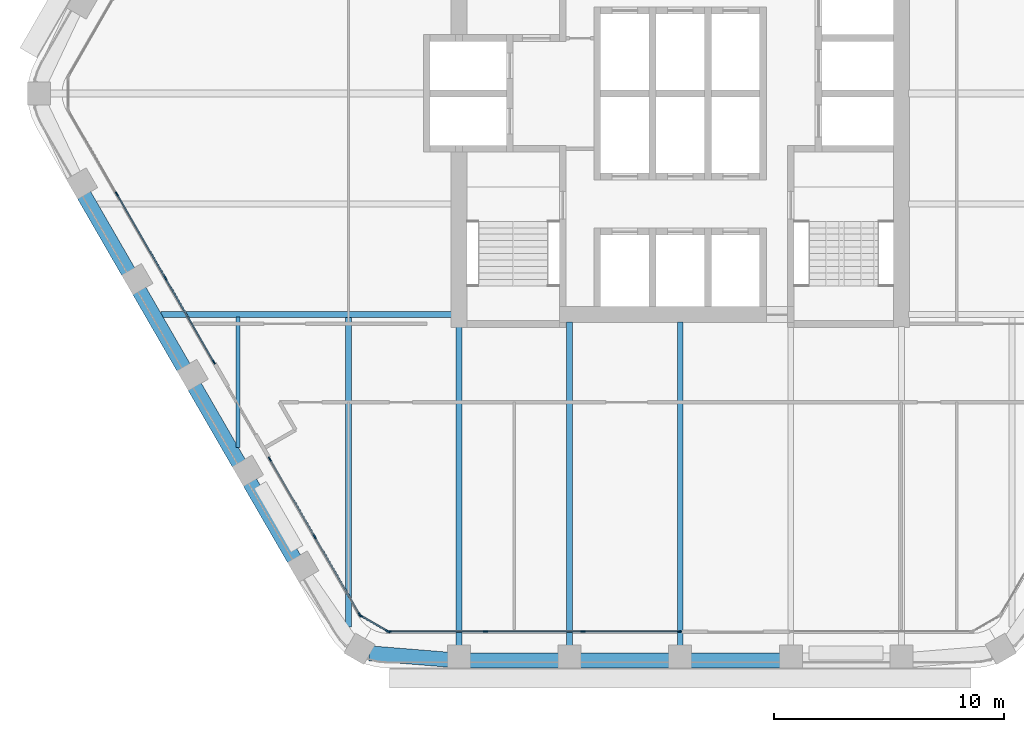
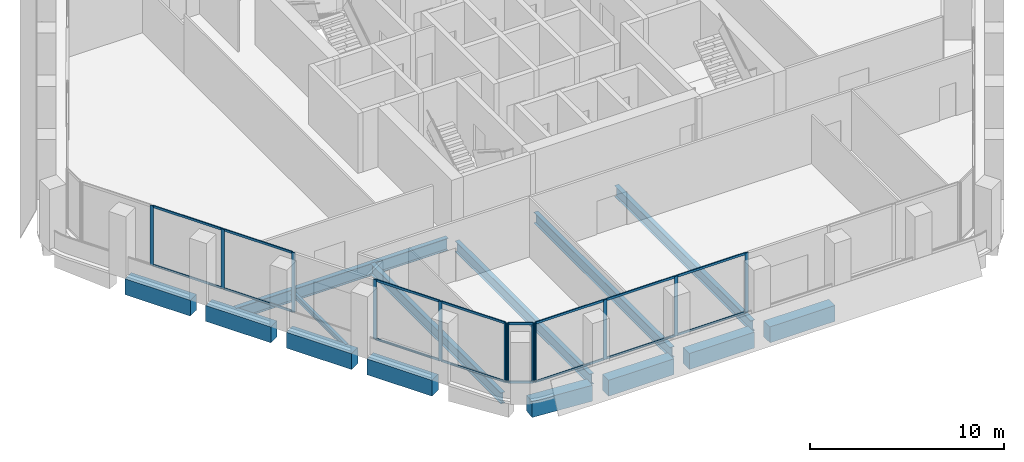
# One storey, part 2 of 15: 28 members, 14 beams, 4 elements without a shape of their own.
"""IFC4 building model written with IfcOpenShell, lengths in metres."""

from ifc_helpers import new_model, si_unit, direction, frame, origin, origin_2d, place, context, subcontext, project, spatial, rectangle, i_section, extrude, material, material_profile, profile_set, type_object, element, aggregate, save


model = new_model("IFC4")

# Units and contexts
model_context = context("Model", 3, precision=1e-05, world=origin(), true_north=direction((0.0, 1.0)))
body_context = subcontext(model_context, "Body", "Model", "MODEL_VIEW")
ifc_project = project(units=[si_unit("LENGTHUNIT", "METRE"), si_unit("AREAUNIT", "SQUARE_METRE"), si_unit("VOLUMEUNIT", "CUBIC_METRE"), si_unit("PLANEANGLEUNIT", "RADIAN"), si_unit("MASSUNIT", "GRAM", prefix="KILO")], contexts=[model_context])

# Site, building, storey
site_placement = place(None, origin())
site = spatial("IfcSite", under=ifc_project, at=site_placement, CompositionType="ELEMENT")
building_placement = place(site_placement, origin())
building = spatial("IfcBuilding", under=site, at=building_placement, Name="Kolab Exchange Tower", CompositionType="ELEMENT")
storey_placement = place(building_placement, frame((0.0, 0.0, 158.300048828125)))
storey = spatial("IfcBuildingStorey", under=building, at=storey_placement, Name="L32", CompositionType="ELEMENT", Elevation=158.300048828125)

# Beams
ifc_material_1 = material(Name="Steel S355", Category="steel")
ifc_material_profile_1 = material_profile(ifc_material_1, i_section(OverallWidth=0.1650390625, OverallDepth=0.31005859375, WebThickness=0.005859375, FlangeThickness=0.009765625, at=origin_2d()), Name="W310X39")
ifc_profile_set_1 = profile_set([ifc_material_profile_1], Name="Steel S355")
beam_type_1 = type_object("IfcBeamType", Name="FLOOR BEAM W310X39", PredefinedType="BEAM", material=ifc_profile_set_1)
beam_1_placement = place(storey_placement, frame((-19.199951171875, -15.36767578125, -0.304931640625), z_axis=(0.0, 1.0, 0.0), x_axis=(-1.0, 0.0, 0.0)))
element("IfcBeam", 1, at=beam_1_placement, inside=storey, type_object=beam_type_1, Name="beam/L32/fr/003", PredefinedType="BEAM", context=body_context, shape_type="SweptSolid", body=[
    extrude(i_section(OverallWidth=0.1650390625, OverallDepth=0.31005859375, WebThickness=0.005859375, FlangeThickness=0.009765625, at=origin_2d()), origin(), (0.0, 0.0, 1.0), 5.674072265625),
])
ifc_material_profile_2 = material_profile(ifc_material_1, i_section(OverallWidth=0.25390625, OverallDepth=0.68408203125, WebThickness=0.012451171875, FlangeThickness=0.018798828125, at=origin_2d()), Name="W690X140")
ifc_profile_set_2 = profile_set([ifc_material_profile_2], Name="Steel S355")
beam_type_2 = type_object("IfcBeamType", Name="FLOOR BEAM W690X140", PredefinedType="BEAM", material=ifc_profile_set_2)
beam_2_placement = place(storey_placement, frame((-14.39990234375, -23.15576171875, -0.491943359375), z_axis=(0.0, 1.0, 0.0), x_axis=(-1.0, 0.0, 0.0)))
element("IfcBeam", 2, at=beam_2_placement, inside=storey, type_object=beam_type_2, Name="beam/L32/fr/005", PredefinedType="BEAM", context=body_context, shape_type="SweptSolid", body=[
    extrude(i_section(OverallWidth=0.25390625, OverallDepth=0.68408203125, WebThickness=0.012451171875, FlangeThickness=0.018798828125, at=origin_2d()), origin(), (0.0, 0.0, 1.0), 13.462158203125),
])
beam_3_placement = place(storey_placement, frame((-9.60009765625, -23.9814453125, -0.491943359375), z_axis=(0.0, 1.0, 0.0), x_axis=(-1.0, 0.0, 0.0)))
element("IfcBeam", 3, at=beam_3_placement, inside=storey, type_object=beam_type_2, Name="beam/L32/fr/007", PredefinedType="BEAM", context=body_context, shape_type="SweptSolid", body=[
    extrude(i_section(OverallWidth=0.25390625, OverallDepth=0.68408203125, WebThickness=0.012451171875, FlangeThickness=0.018798828125, at=origin_2d()), origin(), (0.0, 0.0, 1.0), 13.871337890625),
])
for number, where, z_axis, x_axis, name in (
    (4, (-4.800048828125, -23.9814453125, -0.491943359375), (0.0, 1.0, 0.0), (-1.0, 0.0, 0.0), "beam/L32/fr/009"),
    (5, (0.0, -23.9814453125, -0.491943359375), (0.0, 1.0, 0.0), (-1.0, 0.0, 0.0), "beam/L32/fr/011"),
):
    element("IfcBeam", number, at=place(storey_placement, frame(where, z_axis=z_axis, x_axis=x_axis)), inside=storey, type_object=beam_type_2, Name=name, PredefinedType="BEAM", context=body_context, shape_type="SweptSolid", body=[
        extrude(i_section(OverallWidth=0.25390625, OverallDepth=0.68408203125, WebThickness=0.012451171875, FlangeThickness=0.018798828125, at=origin_2d()), origin(), (0.0, 0.0, 1.0), 14.071533203125),
    ])
ifc_material_profile_3 = material_profile(ifc_material_1, i_section(OverallWidth=0.26708984375, OverallDepth=0.761962890625, WebThickness=0.014404296875, FlangeThickness=0.021484375, at=origin_2d()), Name="W760X173")
ifc_profile_set_3 = profile_set([ifc_material_profile_3], Name="Steel S355")
beam_type_3 = type_object("IfcBeamType", Name="FLOOR GIRDER W760X173", PredefinedType="BEAM", material=ifc_profile_set_3)
beam_4_placement = place(storey_placement, frame((-22.546875, -9.60009765625, -0.531005859375), z_axis=(1.0, 0.0, 0.0), x_axis=(0.0, 1.0, 0.0)))
element("IfcBeam", 6, at=beam_4_placement, inside=storey, type_object=beam_type_3, Name="beam/L32/gd/000", PredefinedType="BEAM", context=body_context, shape_type="SweptSolid", body=[
    extrude(i_section(OverallWidth=0.26708984375, OverallDepth=0.761962890625, WebThickness=0.014404296875, FlangeThickness=0.021484375, at=origin_2d()), origin(), (0.0, 0.0, 1.0), 12.636962890625),
])
ifc_material_2 = material(Name="Concrete C60/75", Category="concrete")
ifc_material_profile_4 = material_profile(ifc_material_2, rectangle(XDim=0.64990234375, YDim=1.0, at=origin_2d()), Name="RC650X1000")
ifc_profile_set_4 = profile_set([ifc_material_profile_4], Name="Concrete C60/75")
beam_type_4 = type_object("IfcBeamType", Name="SPANDREL BEAM 650X1000 C60/75", PredefinedType="BEAM", material=ifc_profile_set_4)
for number, where, z_axis, x_axis, name in (
    (7, (4.340087890625, -24.616455078125, -0.650146484375), (-1.0, 0.0, 0.0), (0.0, -1.0, 0.0), "beam/L32/sp/F4-03"),
    (8, (-0.4599609375, -24.616455078125, -0.650146484375), (-1.0, 0.0, 0.0), (0.0, -1.0, 0.0), "beam/L32/sp/F4-04"),
):
    element("IfcBeam", number, at=place(storey_placement, frame(where, z_axis=z_axis, x_axis=x_axis)), inside=storey, type_object=beam_type_4, Name=name, PredefinedType="BEAM", context=body_context, shape_type="SweptSolid", body=[
        extrude(rectangle(XDim=0.64990234375, YDim=1.0, at=origin_2d()), origin(), (0.0, 0.0, 1.0), 3.880126953125),
    ])
beam_5_placement = place(storey_placement, frame((-5.260009765625, -24.616455078125, -0.650146484375), z_axis=(-1.0, 0.0, 0.0), x_axis=(0.0, -1.0, 0.0)))
element("IfcBeam", 9, at=beam_5_placement, inside=storey, type_object=beam_type_4, Name="beam/L32/sp/F4-05", PredefinedType="BEAM", context=body_context, shape_type="SweptSolid", body=[
    extrude(rectangle(XDim=0.64990234375, YDim=1.0, at=origin_2d()), origin(), (0.0, 0.0, 1.0), 3.8798828125),
])
beam_6_placement = place(storey_placement, frame((-10.06005859375, -24.5791015625, -0.650146484375), z_axis=(-0.996708497182, 0.081068931445, 0.0), x_axis=(-0.081068931445, -0.996708497182, 0.0)))
element("IfcBeam", 10, at=beam_6_placement, inside=storey, type_object=beam_type_4, Name="beam/L32/sp/F4-06", PredefinedType="BEAM", context=body_context, shape_type="SweptSolid", body=[
    extrude(rectangle(XDim=0.64990234375, YDim=1.0, at=origin_2d()), origin(), (0.0, 0.0, 1.0), 3.445068359375),
])
beam_7_placement = place(storey_placement, frame((-16.74853515625, -20.2236328125, -0.650146484375), z_axis=(-0.499996613652, 0.866027358884, 0.0), x_axis=(-0.866027358884, -0.499996613652, 0.0)))
element("IfcBeam", 11, at=beam_7_placement, inside=storey, type_object=beam_type_4, Name="beam/L32/sp/F5-02", PredefinedType="BEAM", context=body_context, shape_type="SweptSolid", body=[
    extrude(rectangle(XDim=0.64990234375, YDim=1.0, at=origin_2d()), origin(), (0.0, 0.0, 1.0), 3.8798828125),
])
beam_8_placement = place(storey_placement, frame((-19.1484375, -16.06689453125, -0.650146484375), z_axis=(-0.50001655835, 0.866015843605, 0.0), x_axis=(-0.866015843605, -0.50001655835, 0.0)))
element("IfcBeam", 12, at=beam_8_placement, inside=storey, type_object=beam_type_4, Name="beam/L32/sp/F5-03", PredefinedType="BEAM", context=body_context, shape_type="SweptSolid", body=[
    extrude(rectangle(XDim=0.64990234375, YDim=1.0, at=origin_2d()), origin(), (0.0, 0.0, 1.0), 3.880126953125),
])
for number, where, z_axis, x_axis, name in (
    (13, (-21.548583984375, -11.909912109375, -0.650146484375), (-0.499996613652, 0.866027358884, 0.0), (-0.866027358884, -0.499996613652, 0.0), "beam/L32/sp/F5-04"),
    (14, (-23.948486328125, -7.7529296875, -0.650146484375), (-0.499996613652, 0.866027358884, 0.0), (-0.866027358884, -0.499996613652, 0.0), "beam/L32/sp/F5-05"),
):
    element("IfcBeam", number, at=place(storey_placement, frame(where, z_axis=z_axis, x_axis=x_axis)), inside=storey, type_object=beam_type_4, Name=name, PredefinedType="BEAM", context=body_context, shape_type="SweptSolid", body=[
        extrude(rectangle(XDim=0.64990234375, YDim=1.0, at=origin_2d()), origin(), (0.0, 0.0, 1.0), 3.8798828125),
    ])

# Curtain wall, members
ifc_material_3 = material(Name="Aluminium EN AW-6063 T6", Category="aluminium")
curtain_wall_type = type_object("IfcCurtainWallType", Name="UNITISED UPPER MID ZONE CURTAIN WALL", PredefinedType="NOTDEFINED", material=ifc_material_3)
curtain_wall_1_placement = place(storey_placement, origin())
curtain_wall_1 = element("IfcCurtainWall", 15, at=curtain_wall_1_placement, inside=storey, type_object=curtain_wall_type, Name="cw/L32/F4-2", PredefinedType="NOTDEFINED")
ifc_material_profile_5 = material_profile(ifc_material_3, rectangle(XDim=0.06005859375, YDim=0.199951171875, at=origin_2d()), Name="RECT 60X200")
ifc_profile_set_5 = profile_set([ifc_material_profile_5], Name="Aluminium EN AW-6063 T6")
member_type_1 = type_object("IfcMemberType", Name="UNITISED UPPER MID ZONE MULLION 60 X 200", PredefinedType="MULLION", material=ifc_profile_set_5)
member_1_placement = place(storey_placement, frame((-0.030029296875, -23.361572265625, 0.0), z_axis=(0.0, 0.0, 1.0), x_axis=(0.0, -1.0, 0.0)))
member_1 = element("IfcMember", 16, at=member_1_placement, type_object=member_type_1, Name="CW3 mullion 1", PredefinedType="MULLION", context=body_context, shape_type="SweptSolid", body=[
    extrude(rectangle(XDim=0.06005859375, YDim=0.199951171875, at=origin_2d()), origin(), (0.0, 0.0, 1.0), 3.75),
])
member_2_placement = place(storey_placement, frame((-4.22265625, -23.361572265625, 0.0), z_axis=(0.0, 0.0, 1.0), x_axis=(0.0, -1.0, 0.0)))
member_2 = element("IfcMember", 17, at=member_2_placement, type_object=member_type_1, Name="CW3 mullion 2", PredefinedType="MULLION", context=body_context, shape_type="SweptSolid", body=[
    extrude(rectangle(XDim=0.06005859375, YDim=0.199951171875, at=origin_2d()), origin(), (0.0, 0.0, 1.0), 3.75),
])
member_3_placement = place(storey_placement, frame((-8.4453125, -23.361572265625, 0.0), z_axis=(0.0, 0.0, 1.0), x_axis=(0.0, -1.0, 0.0)))
member_3 = element("IfcMember", 18, at=member_3_placement, type_object=member_type_1, Name="CW3 mullion 3", PredefinedType="MULLION", context=body_context, shape_type="SweptSolid", body=[
    extrude(rectangle(XDim=0.06005859375, YDim=0.199951171875, at=origin_2d()), origin(), (0.0, 0.0, 1.0), 3.75),
])
member_4_placement = place(storey_placement, frame((-12.637939453125, -23.361572265625, 0.0), z_axis=(0.0, 0.0, 1.0), x_axis=(0.0, -1.0, 0.0)))
member_4 = element("IfcMember", 19, at=member_4_placement, type_object=member_type_1, Name="CW3 mullion 4", PredefinedType="MULLION", context=body_context, shape_type="SweptSolid", body=[
    extrude(rectangle(XDim=0.06005859375, YDim=0.199951171875, at=origin_2d()), origin(), (0.0, 0.0, 1.0), 3.75),
])

curtain_wall_2_placement = place(storey_placement, origin())
curtain_wall_2 = element("IfcCurtainWall", 20, at=curtain_wall_2_placement, inside=storey, type_object=curtain_wall_type, Name="cw/L32/F5-1", PredefinedType="NOTDEFINED")
member_5_placement = place(storey_placement, frame((-13.91259765625, -22.62548828125, 0.0), z_axis=(0.0, 0.0, 1.0), x_axis=(-0.866025385493, -0.500000031681, 0.0)))
member_5 = element("IfcMember", 21, at=member_5_placement, type_object=member_type_1, Name="CW3 mullion 1", PredefinedType="MULLION", context=body_context, shape_type="SweptSolid", body=[
    extrude(rectangle(XDim=0.06005859375, YDim=0.199951171875, at=origin_2d()), origin(), (0.0, 0.0, 1.0), 3.75),
])
member_6_placement = place(storey_placement, frame((-15.86474609375, -19.24462890625, 0.0), z_axis=(0.0, 0.0, 1.0), x_axis=(-0.866025385493, -0.500000031681, 0.0)))
member_6 = element("IfcMember", 22, at=member_6_placement, type_object=member_type_1, Name="CW3 mullion 2", PredefinedType="MULLION", context=body_context, shape_type="SweptSolid", body=[
    extrude(rectangle(XDim=0.06005859375, YDim=0.199951171875, at=origin_2d()), origin(), (0.0, 0.0, 1.0), 3.75),
])
member_7_placement = place(storey_placement, frame((-17.816650390625, -15.86376953125, 0.0), z_axis=(0.0, 0.0, 1.0), x_axis=(-0.866025385493, -0.500000031681, 0.0)))
member_7 = element("IfcMember", 23, at=member_7_placement, type_object=member_type_1, Name="CW3 mullion 3", PredefinedType="MULLION", context=body_context, shape_type="SweptSolid", body=[
    extrude(rectangle(XDim=0.06005859375, YDim=0.199951171875, at=origin_2d()), origin(), (0.0, 0.0, 1.0), 3.75),
])

curtain_wall_3_placement = place(storey_placement, origin())
curtain_wall_3 = element("IfcCurtainWall", 24, at=curtain_wall_3_placement, inside=storey, type_object=curtain_wall_type, Name="cw/L32/F5-2", PredefinedType="NOTDEFINED")
member_8_placement = place(storey_placement, frame((-20.24658203125, -11.65478515625, 0.0), z_axis=(0.0, 0.0, 1.0), x_axis=(-0.866025427826, -0.499999958358, 0.0)))
member_8 = element("IfcMember", 25, at=member_8_placement, type_object=member_type_1, Name="CW3 mullion 1", PredefinedType="MULLION", context=body_context, shape_type="SweptSolid", body=[
    extrude(rectangle(XDim=0.06005859375, YDim=0.199951171875, at=origin_2d()), origin(), (0.0, 0.0, 1.0), 3.75),
])
member_9_placement = place(storey_placement, frame((-22.343017578125, -8.02392578125, 0.0), z_axis=(0.0, 0.0, 1.0), x_axis=(-0.866025427826, -0.499999958358, 0.0)))
member_9 = element("IfcMember", 26, at=member_9_placement, type_object=member_type_1, Name="CW3 mullion 2", PredefinedType="MULLION", context=body_context, shape_type="SweptSolid", body=[
    extrude(rectangle(XDim=0.06005859375, YDim=0.199951171875, at=origin_2d()), origin(), (0.0, 0.0, 1.0), 3.75),
])
member_10_placement = place(storey_placement, frame((-24.454345703125, -4.366943359375, 0.0), z_axis=(0.0, 0.0, 1.0), x_axis=(-0.866025427826, -0.499999958358, 0.0)))
member_10 = element("IfcMember", 27, at=member_10_placement, type_object=member_type_1, Name="CW3 mullion 3", PredefinedType="MULLION", context=body_context, shape_type="SweptSolid", body=[
    extrude(rectangle(XDim=0.06005859375, YDim=0.199951171875, at=origin_2d()), origin(), (0.0, 0.0, 1.0), 3.75),
])

curtain_wall_4_placement = place(storey_placement, origin())
curtain_wall_4 = element("IfcCurtainWall", 28, at=curtain_wall_4_placement, inside=storey, type_object=curtain_wall_type, Name="cw/L32/F4F5-corner", PredefinedType="NOTDEFINED")
member_11_placement = place(storey_placement, frame((-12.69384765625, -23.346435546875, 0.0), z_axis=(0.0, 0.0, 1.0), x_axis=(-0.50000002237, -0.866025390869, 0.0)))
member_11 = element("IfcMember", 29, at=member_11_placement, type_object=member_type_1, Name="CW3 mullion 1", PredefinedType="MULLION", context=body_context, shape_type="SweptSolid", body=[
    extrude(rectangle(XDim=0.06005859375, YDim=0.199951171875, at=origin_2d()), origin(), (0.0, 0.0, 1.0), 3.75),
])
member_12_placement = place(storey_placement, frame((-13.871826171875, -22.66650390625, 0.0), z_axis=(0.0, 0.0, 1.0), x_axis=(-0.50000002237, -0.866025390869, 0.0)))
member_12 = element("IfcMember", 30, at=member_12_placement, type_object=member_type_1, Name="CW3 mullion 2", PredefinedType="MULLION", context=body_context, shape_type="SweptSolid", body=[
    extrude(rectangle(XDim=0.06005859375, YDim=0.199951171875, at=origin_2d()), origin(), (0.0, 0.0, 1.0), 3.75),
])

# Member
ifc_material_profile_6 = material_profile(ifc_material_3, rectangle(XDim=0.06005859375, YDim=0.139892578125, at=origin_2d()), Name="RECT 60X140")
ifc_profile_set_6 = profile_set([ifc_material_profile_6], Name="Aluminium EN AW-6063 T6")
member_type_2 = type_object("IfcMemberType", Name="UNITISED UPPER MID ZONE TRANSOM 60 X 140", PredefinedType="USERDEFINED", material=ifc_profile_set_6)
member_13_placement = place(storey_placement, frame((-0.06005859375, -23.361572265625, 0.030029296875), z_axis=(-1.0, 0.0, 0.0), x_axis=(0.0, -1.0, 0.0)))
member_13 = element("IfcMember", 31, at=member_13_placement, type_object=member_type_2, Name="CW3 transom 1.1", ObjectType="TRANSOM", PredefinedType="USERDEFINED", context=body_context, shape_type="SweptSolid", body=[
    extrude(rectangle(XDim=0.06005859375, YDim=0.139892578125, at=origin_2d()), origin(), (0.0, 0.0, 1.0), 4.132568359375),
])

member_14_placement = place(storey_placement, frame((-0.06005859375, -23.361572265625, 3.719970703125), z_axis=(-1.0, 0.0, 0.0), x_axis=(0.0, -1.0, 0.0)))
member_14 = element("IfcMember", 32, at=member_14_placement, type_object=member_type_2, Name="CW3 transom 1.2", ObjectType="TRANSOM", PredefinedType="USERDEFINED", context=body_context, shape_type="SweptSolid", body=[
    extrude(rectangle(XDim=0.06005859375, YDim=0.139892578125, at=origin_2d()), origin(), (0.0, 0.0, 1.0), 4.132568359375),
])

member_15_placement = place(storey_placement, frame((-4.252685546875, -23.361572265625, 0.030029296875), z_axis=(-1.0, 0.0, 0.0), x_axis=(0.0, -1.0, 0.0)))
member_15 = element("IfcMember", 33, at=member_15_placement, type_object=member_type_2, Name="CW3 transom 2.1", ObjectType="TRANSOM", PredefinedType="USERDEFINED", context=body_context, shape_type="SweptSolid", body=[
    extrude(rectangle(XDim=0.06005859375, YDim=0.139892578125, at=origin_2d()), origin(), (0.0, 0.0, 1.0), 4.16259765625),
])

member_16_placement = place(storey_placement, frame((-4.252685546875, -23.361572265625, 3.719970703125), z_axis=(-1.0, 0.0, 0.0), x_axis=(0.0, -1.0, 0.0)))
member_16 = element("IfcMember", 34, at=member_16_placement, type_object=member_type_2, Name="CW3 transom 2.2", ObjectType="TRANSOM", PredefinedType="USERDEFINED", context=body_context, shape_type="SweptSolid", body=[
    extrude(rectangle(XDim=0.06005859375, YDim=0.139892578125, at=origin_2d()), origin(), (0.0, 0.0, 1.0), 4.16259765625),
])

member_17_placement = place(storey_placement, frame((-8.475341796875, -23.361572265625, 0.030029296875), z_axis=(-1.0, 0.0, 0.0), x_axis=(0.0, -1.0, 0.0)))
member_17 = element("IfcMember", 35, at=member_17_placement, type_object=member_type_2, Name="CW3 transom 3.1", ObjectType="TRANSOM", PredefinedType="USERDEFINED", context=body_context, shape_type="SweptSolid", body=[
    extrude(rectangle(XDim=0.06005859375, YDim=0.139892578125, at=origin_2d()), origin(), (0.0, 0.0, 1.0), 4.132568359375),
])

member_18_placement = place(storey_placement, frame((-8.475341796875, -23.361572265625, 3.719970703125), z_axis=(-1.0, 0.0, 0.0), x_axis=(0.0, -1.0, 0.0)))
member_18 = element("IfcMember", 36, at=member_18_placement, type_object=member_type_2, Name="CW3 transom 3.2", ObjectType="TRANSOM", PredefinedType="USERDEFINED", context=body_context, shape_type="SweptSolid", body=[
    extrude(rectangle(XDim=0.06005859375, YDim=0.139892578125, at=origin_2d()), origin(), (0.0, 0.0, 1.0), 4.132568359375),
])

aggregate(curtain_wall_1, [member_1, member_2, member_3, member_4, member_13, member_14, member_15, member_16, member_17, member_18])

member_19_placement = place(storey_placement, frame((-13.927734375, -22.599609375, 0.030029296875), z_axis=(-0.499964356602, 0.866045981532, 0.0), x_axis=(-0.866045981532, -0.499964356602, 0.0)))
member_19 = element("IfcMember", 37, at=member_19_placement, type_object=member_type_2, Name="CW3 transom 1.1", ObjectType="TRANSOM", PredefinedType="USERDEFINED", context=body_context, shape_type="SweptSolid", body=[
    extrude(rectangle(XDim=0.06005859375, YDim=0.139892578125, at=origin_2d()), origin(), (0.0, 0.0, 1.0), 3.843994140625),
])

member_20_placement = place(storey_placement, frame((-13.927734375, -22.599609375, 3.719970703125), z_axis=(-0.499964356602, 0.866045981532, 0.0), x_axis=(-0.866045981532, -0.499964356602, 0.0)))
member_20 = element("IfcMember", 38, at=member_20_placement, type_object=member_type_2, Name="CW3 transom 1.2", ObjectType="TRANSOM", PredefinedType="USERDEFINED", context=body_context, shape_type="SweptSolid", body=[
    extrude(rectangle(XDim=0.06005859375, YDim=0.139892578125, at=origin_2d()), origin(), (0.0, 0.0, 1.0), 3.843994140625),
])

member_21_placement = place(storey_placement, frame((-15.879638671875, -19.21875, 0.030029296875), z_axis=(-0.500011990396, 0.866018481016, 0.0), x_axis=(-0.866018481016, -0.500011990396, 0.0)))
member_21 = element("IfcMember", 39, at=member_21_placement, type_object=member_type_2, Name="CW3 transom 2.1", ObjectType="TRANSOM", PredefinedType="USERDEFINED", context=body_context, shape_type="SweptSolid", body=[
    extrude(rectangle(XDim=0.06005859375, YDim=0.139892578125, at=origin_2d()), origin(), (0.0, 0.0, 1.0), 3.84423828125),
])

member_22_placement = place(storey_placement, frame((-15.879638671875, -19.21875, 3.719970703125), z_axis=(-0.500011990396, 0.866018481016, 0.0), x_axis=(-0.866018481016, -0.500011990396, 0.0)))
member_22 = element("IfcMember", 40, at=member_22_placement, type_object=member_type_2, Name="CW3 transom 2.2", ObjectType="TRANSOM", PredefinedType="USERDEFINED", context=body_context, shape_type="SweptSolid", body=[
    extrude(rectangle(XDim=0.06005859375, YDim=0.139892578125, at=origin_2d()), origin(), (0.0, 0.0, 1.0), 3.84423828125),
])

aggregate(curtain_wall_2, [member_5, member_6, member_7, member_19, member_20, member_21, member_22])

member_23_placement = place(storey_placement, frame((-20.26171875, -11.62890625, 0.030029296875), z_axis=(-0.500001996123, 0.866024251319, 0.0), x_axis=(-0.866024251319, -0.500001996123, 0.0)))
member_23 = element("IfcMember", 41, at=member_23_placement, type_object=member_type_2, Name="CW3 transom 1.1", ObjectType="TRANSOM", PredefinedType="USERDEFINED", context=body_context, shape_type="SweptSolid", body=[
    extrude(rectangle(XDim=0.06005859375, YDim=0.139892578125, at=origin_2d()), origin(), (0.0, 0.0, 1.0), 4.1328125),
])

member_24_placement = place(storey_placement, frame((-20.26171875, -11.62890625, 3.719970703125), z_axis=(-0.500001996123, 0.866024251319, 0.0), x_axis=(-0.866024251319, -0.500001996123, 0.0)))
member_24 = element("IfcMember", 42, at=member_24_placement, type_object=member_type_2, Name="CW3 transom 1.2", ObjectType="TRANSOM", PredefinedType="USERDEFINED", context=body_context, shape_type="SweptSolid", body=[
    extrude(rectangle(XDim=0.06005859375, YDim=0.139892578125, at=origin_2d()), origin(), (0.0, 0.0, 1.0), 4.1328125),
])

member_25_placement = place(storey_placement, frame((-22.35791015625, -7.997802734375, 0.030029296875), z_axis=(-0.49999322259, 0.866029316688, 0.0), x_axis=(-0.866029316688, -0.49999322259, 0.0)))
member_25 = element("IfcMember", 43, at=member_25_placement, type_object=member_type_2, Name="CW3 transom 2.1", ObjectType="TRANSOM", PredefinedType="USERDEFINED", context=body_context, shape_type="SweptSolid", body=[
    extrude(rectangle(XDim=0.06005859375, YDim=0.139892578125, at=origin_2d()), origin(), (0.0, 0.0, 1.0), 4.16259765625),
])

member_26_placement = place(storey_placement, frame((-22.35791015625, -7.997802734375, 3.719970703125), z_axis=(-0.49999322259, 0.866029316688, 0.0), x_axis=(-0.866029316688, -0.49999322259, 0.0)))
member_26 = element("IfcMember", 44, at=member_26_placement, type_object=member_type_2, Name="CW3 transom 2.2", ObjectType="TRANSOM", PredefinedType="USERDEFINED", context=body_context, shape_type="SweptSolid", body=[
    extrude(rectangle(XDim=0.06005859375, YDim=0.139892578125, at=origin_2d()), origin(), (0.0, 0.0, 1.0), 4.16259765625),
])

aggregate(curtain_wall_3, [member_8, member_9, member_10, member_23, member_24, member_25, member_26])

member_27_placement = place(storey_placement, frame((-12.719970703125, -23.33154296875, 0.030029296875), z_axis=(-0.86603858612, 0.49997716683, 0.0), x_axis=(-0.49997716683, -0.86603858612, 0.0)))
member_27 = element("IfcMember", 45, at=member_27_placement, type_object=member_type_2, Name="CW3 transom 1.1", ObjectType="TRANSOM", PredefinedType="USERDEFINED", context=body_context, shape_type="SweptSolid", body=[
    extrude(rectangle(XDim=0.06005859375, YDim=0.139892578125, at=origin_2d()), origin(), (0.0, 0.0, 1.0), 1.2998046875),
])

member_28_placement = place(storey_placement, frame((-12.719970703125, -23.33154296875, 3.719970703125), z_axis=(-0.86603858612, 0.49997716683, 0.0), x_axis=(-0.49997716683, -0.86603858612, 0.0)))
member_28 = element("IfcMember", 46, at=member_28_placement, type_object=member_type_2, Name="CW3 transom 1.2", ObjectType="TRANSOM", PredefinedType="USERDEFINED", context=body_context, shape_type="SweptSolid", body=[
    extrude(rectangle(XDim=0.06005859375, YDim=0.139892578125, at=origin_2d()), origin(), (0.0, 0.0, 1.0), 1.2998046875),
])

aggregate(curtain_wall_4, [member_11, member_12, member_27, member_28])

save(model, "model.ifc")
